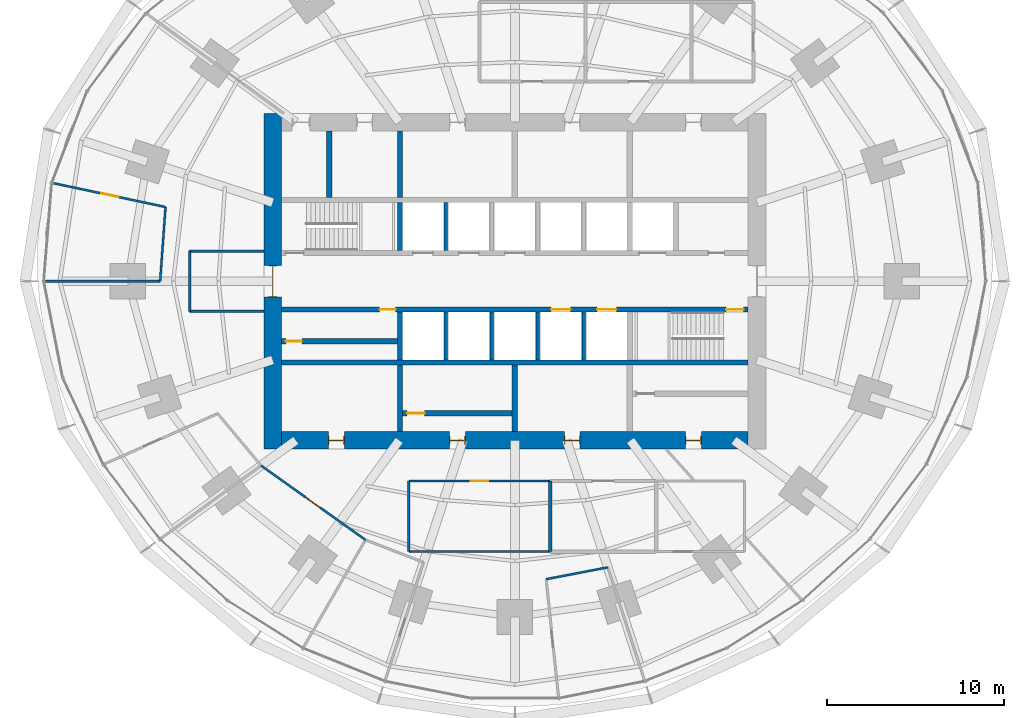
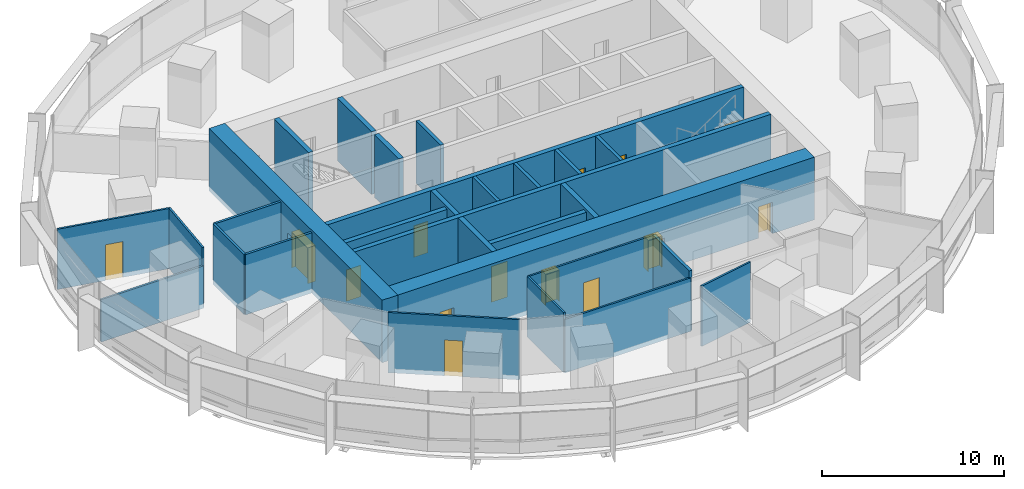
# One storey, part 11 of 15: 29 walls, 14 doors, 14 openings.
"""IFC4 building model written with IfcOpenShell, lengths in metres."""

from ifc_helpers import new_model, si_unit, direction, frame, frame_2d, origin, place, context, subcontext, project, spatial, rectangle, extrude, material, layer, layer_set, type_object, element, fill, save


model = new_model("IFC4")

# Units and contexts
model_context = context("Model", 3, precision=1e-05, world=origin(), true_north=direction((0.0, 1.0)))
body_context = subcontext(model_context, "Body", "Model", "MODEL_VIEW")
ifc_project = project(units=[si_unit("LENGTHUNIT", "METRE"), si_unit("AREAUNIT", "SQUARE_METRE"), si_unit("VOLUMEUNIT", "CUBIC_METRE"), si_unit("PLANEANGLEUNIT", "RADIAN"), si_unit("MASSUNIT", "GRAM", prefix="KILO")], contexts=[model_context])

# Site, building, storey
site_placement = place(None, origin())
site = spatial("IfcSite", under=ifc_project, at=site_placement, CompositionType="ELEMENT")
building_placement = place(site_placement, origin())
building = spatial("IfcBuilding", under=site, at=building_placement, Name="Marramba Exchange Tower", CompositionType="ELEMENT")
storey_placement = place(building_placement, frame((0.0, 0.0, 61.60009765625)))
storey = spatial("IfcBuildingStorey", under=building, at=storey_placement, Name="L14", CompositionType="ELEMENT", Elevation=61.60009765625)

# Walls
ifc_material_1 = material(Name="Concrete N50", Category="concrete")
ifc_layer_1 = layer(ifc_material_1, 0.199951171875)
ifc_layer_set_1 = layer_set([ifc_layer_1], Name="Core shaft wall 200")
wall_type_1 = type_object("IfcWallType", Name="Core shaft wall 200", PredefinedType="SHEAR", material=ifc_layer_set_1)
for number, where, z_axis, x_axis, name in (
    (1, (-3.89990234375, 1.75, 0.0), (0.0, 0.0, 1.0), (0.0, 1.0, 0.0), "Core wall SHN1 L14"),
    (2, (-3.89990234375, -1.75, 0.0), (0.0, 0.0, 1.0), (0.0, -1.0, 0.0), "Core wall SHS1 L14"),
    (3, (-1.300048828125, -1.75, 0.0), (0.0, 0.0, 1.0), (0.0, -1.0, 0.0), "Core wall SHS2 L14"),
    (4, (1.300048828125, -1.75, 0.0), (0.0, 0.0, 1.0), (0.0, -1.0, 0.0), "Core wall SHS3 L14"),
    (5, (3.89990234375, -1.75, 0.0), (0.0, 0.0, 1.0), (0.0, -1.0, 0.0), "Core wall SHS4 L14"),
):
    element("IfcWall", number, at=place(storey_placement, frame(where, z_axis=z_axis, x_axis=x_axis)), inside=storey, type_object=wall_type_1, Name=name, PredefinedType="SHEAR", context=body_context, shape_type="SweptSolid", body=[
        extrude(rectangle(XDim=2.699951171875, YDim=0.199951171875, at=frame_2d((1.35009765625, 0.0))), origin(), (0.0, 0.0, 1.0), 4.199951171875),
    ])

# Wall, openings, doors
ifc_layer_2 = layer(ifc_material_1, 1.0)
ifc_layer_set_2 = layer_set([ifc_layer_2], Name="Core wall 1000")
wall_type_2 = type_object("IfcWallType", Name="Core wall 1000", PredefinedType="SHEAR", material=ifc_layer_set_2)
wall_1_placement = place(storey_placement, frame((-13.199951171875, -9.0, 0.0), z_axis=(0.0, 0.0, 1.0), x_axis=(1.0, 0.0, 0.0)))
wall_1 = element("IfcWall", 6, at=wall_1_placement, inside=storey, type_object=wall_type_2, Name="Core wall S L14", PredefinedType="SHEAR", context=body_context, shape_type="SweptSolid", body=[
    extrude(rectangle(XDim=26.39990234375, YDim=1.0, at=frame_2d((13.199951171875, 0.0))), origin(), (0.0, 0.0, 1.0), 4.199951171875),
])
opening_1_placement = place(wall_1_placement, frame((2.64990234375, 0.0, 0.0)))
opening_1 = element("IfcOpeningElement", 7, at=opening_1_placement, cuts=wall_1, Name="Opening D5", PredefinedType="OPENING", context=body_context, shape_type="SweptSolid", body=[
    extrude(rectangle(XDim=0.89990234375, YDim=2.10009765625, at=frame_2d((0.449951171875, 1.050048828125))), frame((0.0, 0.510009765625, 0.0), z_axis=(0.0, -1.0, 0.0), x_axis=(1.0, 0.0, 0.0)), (0.0, 0.0, 1.0), 1.02001953125),
])
opening_2_placement = place(wall_1_placement, frame((9.5, 0.0, 0.0)))
opening_2 = element("IfcOpeningElement", 8, at=opening_2_placement, cuts=wall_1, Name="Opening D5", PredefinedType="OPENING", context=body_context, shape_type="SweptSolid", body=[
    extrude(rectangle(XDim=0.89990234375, YDim=2.10009765625, at=frame_2d((0.449951171875, 1.050048828125))), frame((0.0, 0.510009765625, 0.0), z_axis=(0.0, -1.0, 0.0), x_axis=(1.0, 0.0, 0.0)), (0.0, 0.0, 1.0), 1.02001953125),
])
opening_3_placement = place(wall_1_placement, frame((16.0, 0.0, 0.0)))
opening_3 = element("IfcOpeningElement", 9, at=opening_3_placement, cuts=wall_1, Name="Opening D5", PredefinedType="OPENING", context=body_context, shape_type="SweptSolid", body=[
    extrude(rectangle(XDim=0.89990234375, YDim=2.10009765625, at=frame_2d((0.449951171875, 1.050048828125))), frame((0.0, 0.510009765625, 0.0), z_axis=(0.0, -1.0, 0.0), x_axis=(1.0, 0.0, 0.0)), (0.0, 0.0, 1.0), 1.02001953125),
])
opening_4_placement = place(wall_1_placement, frame((22.85009765625, 0.0, 0.0)))
opening_4 = element("IfcOpeningElement", 10, at=opening_4_placement, cuts=wall_1, Name="Opening D5", PredefinedType="OPENING", context=body_context, shape_type="SweptSolid", body=[
    extrude(rectangle(XDim=0.89990234375, YDim=2.10009765625, at=frame_2d((0.449951171875, 1.050048828125))), frame((0.0, 0.510009765625, 0.0), z_axis=(0.0, -1.0, 0.0), x_axis=(1.0, 0.0, 0.0)), (0.0, 0.0, 1.0), 1.02001953125),
])
ifc_material_2 = material(Name="Steel-framed door", Category="steel")
door_type_1 = type_object("IfcDoorType", Name="Service door 900x2100", OperationType="SINGLE_SWING_LEFT", PredefinedType="DOOR", material=ifc_material_2)
door_1_placement = place(opening_1_placement, origin())
door_1 = element("IfcDoor", 11, at=door_1_placement, inside=storey, type_object=door_type_1, Name="D5 ahu L14", OperationType="SINGLE_SWING_LEFT", OverallHeight=2.10009765625, OverallWidth=0.89990234375, PredefinedType="DOOR", context=body_context, shape_type="SweptSolid", body=[
    extrude(rectangle(XDim=0.81982421875, YDim=2.06005859375, at=frame_2d((0.449951171875, 1.030029296875))), frame((0.0, 0.02490234375, 0.0), z_axis=(0.0, -1.0, 0.0), x_axis=(1.0, 0.0, 0.0)), (0.0, 0.0, 1.0), 0.050048828125),
    extrude(rectangle(XDim=0.04, YDim=2.10009765625, at=frame_2d((0.02001953125, 1.050048828125))), frame((0.0, 0.25, 0.0), z_axis=(0.0, -1.0, 0.0), x_axis=(1.0, 0.0, 0.0)), (0.0, 0.0, 1.0), 0.5),
    extrude(rectangle(XDim=0.04, YDim=2.10009765625, at=frame_2d((0.8798828125, 1.050048828125))), frame((0.0, 0.25, 0.0), z_axis=(0.0, -1.0, 0.0), x_axis=(1.0, 0.0, 0.0)), (0.0, 0.0, 1.0), 0.5),
    extrude(rectangle(XDim=0.81982421875, YDim=0.04, at=frame_2d((0.449951171875, 2.080078125))), frame((0.0, 0.25, 0.0), z_axis=(0.0, -1.0, 0.0), x_axis=(1.0, 0.0, 0.0)), (0.0, 0.0, 1.0), 0.5),
])
fill(opening_1, door_1)
door_2_placement = place(opening_2_placement, origin())
door_2 = element("IfcDoor", 12, at=door_2_placement, inside=storey, type_object=door_type_1, Name="D5 store L14", OperationType="SINGLE_SWING_RIGHT", OverallHeight=2.10009765625, OverallWidth=0.89990234375, PredefinedType="DOOR", context=body_context, shape_type="SweptSolid", body=[
    extrude(rectangle(XDim=0.81982421875, YDim=2.06005859375, at=frame_2d((0.449951171875, 1.030029296875))), frame((0.0, 0.02490234375, 0.0), z_axis=(0.0, -1.0, 0.0), x_axis=(1.0, 0.0, 0.0)), (0.0, 0.0, 1.0), 0.050048828125),
    extrude(rectangle(XDim=0.04, YDim=2.10009765625, at=frame_2d((0.02001953125, 1.050048828125))), frame((0.0, 0.25, 0.0), z_axis=(0.0, -1.0, 0.0), x_axis=(1.0, 0.0, 0.0)), (0.0, 0.0, 1.0), 0.5),
    extrude(rectangle(XDim=0.04, YDim=2.10009765625, at=frame_2d((0.8798828125, 1.050048828125))), frame((0.0, 0.25, 0.0), z_axis=(0.0, -1.0, 0.0), x_axis=(1.0, 0.0, 0.0)), (0.0, 0.0, 1.0), 0.5),
    extrude(rectangle(XDim=0.81982421875, YDim=0.04, at=frame_2d((0.449951171875, 2.080078125))), frame((0.0, 0.25, 0.0), z_axis=(0.0, -1.0, 0.0), x_axis=(1.0, 0.0, 0.0)), (0.0, 0.0, 1.0), 0.5),
])
fill(opening_2, door_2)
door_3_placement = place(opening_3_placement, origin())
door_3 = element("IfcDoor", 13, at=door_3_placement, inside=storey, type_object=door_type_1, Name="D5 switch L14", OperationType="SINGLE_SWING_RIGHT", OverallHeight=2.10009765625, OverallWidth=0.89990234375, PredefinedType="DOOR", context=body_context, shape_type="SweptSolid", body=[
    extrude(rectangle(XDim=0.81982421875, YDim=2.06005859375, at=frame_2d((0.449951171875, 1.030029296875))), frame((0.0, 0.02490234375, 0.0), z_axis=(0.0, -1.0, 0.0), x_axis=(1.0, 0.0, 0.0)), (0.0, 0.0, 1.0), 0.050048828125),
    extrude(rectangle(XDim=0.04, YDim=2.10009765625, at=frame_2d((0.02001953125, 1.050048828125))), frame((0.0, 0.25, 0.0), z_axis=(0.0, -1.0, 0.0), x_axis=(1.0, 0.0, 0.0)), (0.0, 0.0, 1.0), 0.5),
    extrude(rectangle(XDim=0.04, YDim=2.10009765625, at=frame_2d((0.8798828125, 1.050048828125))), frame((0.0, 0.25, 0.0), z_axis=(0.0, -1.0, 0.0), x_axis=(1.0, 0.0, 0.0)), (0.0, 0.0, 1.0), 0.5),
    extrude(rectangle(XDim=0.81982421875, YDim=0.04, at=frame_2d((0.449951171875, 2.080078125))), frame((0.0, 0.25, 0.0), z_axis=(0.0, -1.0, 0.0), x_axis=(1.0, 0.0, 0.0)), (0.0, 0.0, 1.0), 0.5),
])
fill(opening_3, door_3)
door_4_placement = place(opening_4_placement, origin())
door_4 = element("IfcDoor", 14, at=door_4_placement, inside=storey, type_object=door_type_1, Name="D5 cstore L14", OperationType="SINGLE_SWING_RIGHT", OverallHeight=2.10009765625, OverallWidth=0.89990234375, PredefinedType="DOOR", context=body_context, shape_type="SweptSolid", body=[
    extrude(rectangle(XDim=0.81982421875, YDim=2.06005859375, at=frame_2d((0.449951171875, 1.030029296875))), frame((0.0, 0.02490234375, 0.0), z_axis=(0.0, -1.0, 0.0), x_axis=(1.0, 0.0, 0.0)), (0.0, 0.0, 1.0), 0.050048828125),
    extrude(rectangle(XDim=0.04, YDim=2.10009765625, at=frame_2d((0.02001953125, 1.050048828125))), frame((0.0, 0.25, 0.0), z_axis=(0.0, -1.0, 0.0), x_axis=(1.0, 0.0, 0.0)), (0.0, 0.0, 1.0), 0.5),
    extrude(rectangle(XDim=0.04, YDim=2.10009765625, at=frame_2d((0.8798828125, 1.050048828125))), frame((0.0, 0.25, 0.0), z_axis=(0.0, -1.0, 0.0), x_axis=(1.0, 0.0, 0.0)), (0.0, 0.0, 1.0), 0.5),
    extrude(rectangle(XDim=0.81982421875, YDim=0.04, at=frame_2d((0.449951171875, 2.080078125))), frame((0.0, 0.25, 0.0), z_axis=(0.0, -1.0, 0.0), x_axis=(1.0, 0.0, 0.0)), (0.0, 0.0, 1.0), 0.5),
])
fill(opening_4, door_4)

# Wall, opening, door
wall_2_placement = place(storey_placement, frame((-13.699951171875, 9.5, 0.0), z_axis=(0.0, 0.0, 1.0), x_axis=(0.0, -1.0, 0.0)))
wall_2 = element("IfcWall", 15, at=wall_2_placement, inside=storey, type_object=wall_type_2, Name="Core wall W L14", PredefinedType="SHEAR", context=body_context, shape_type="SweptSolid", body=[
    extrude(rectangle(XDim=19.0, YDim=1.0, at=frame_2d((9.5, 0.0))), origin(), (0.0, 0.0, 1.0), 4.199951171875),
])
opening_5_placement = place(wall_2_placement, frame((8.60009765625, 0.0, 0.0)))
opening_5 = element("IfcOpeningElement", 16, at=opening_5_placement, cuts=wall_2, Name="Opening D1", PredefinedType="OPENING", context=body_context, shape_type="SweptSolid", body=[
    extrude(rectangle(XDim=1.800048828125, YDim=2.39990234375, at=frame_2d((0.89990234375, 1.199951171875))), frame((0.0, 0.510009765625, 0.0), z_axis=(0.0, -1.0, 0.0), x_axis=(1.0, 0.0, 0.0)), (0.0, 0.0, 1.0), 1.02001953125),
])
door_type_2 = type_object("IfcDoorType", Name="Lobby exit door 1800x2400", OperationType="DOUBLE_DOOR_SINGLE_SWING", PredefinedType="DOOR", material=ifc_material_2)
door_5_placement = place(opening_5_placement, frame((1.800048828125, 0.0, 0.0), z_axis=(0.0, 0.0, 1.0), x_axis=(-1.0, 0.0, 0.0)))
door_5 = element("IfcDoor", 17, at=door_5_placement, inside=storey, type_object=door_type_2, Name="D1 lobby exit west L14", OperationType="DOUBLE_DOOR_SINGLE_SWING", OverallHeight=2.39990234375, OverallWidth=1.800048828125, PredefinedType="DOOR", context=body_context, shape_type="SweptSolid", body=[
    extrude(rectangle(XDim=1.719970703125, YDim=2.35986328125, at=frame_2d((0.900146484375, 1.179931640625))), frame((0.0, 0.025146484375, 0.0), z_axis=(0.0, -1.0, 0.0), x_axis=(1.0, 0.0, 0.0)), (0.0, 0.0, 1.0), 0.050048828125),
    extrude(rectangle(XDim=0.04, YDim=2.39990234375, at=frame_2d((1.780029296875, 1.199951171875))), frame((0.0, 0.25, 0.0), z_axis=(0.0, -1.0, 0.0), x_axis=(1.0, 0.0, 0.0)), (0.0, 0.0, 1.0), 0.5),
    extrude(rectangle(XDim=0.04, YDim=2.39990234375, at=frame_2d((0.02001953125, 1.199951171875))), frame((0.0, 0.25, 0.0), z_axis=(0.0, -1.0, 0.0), x_axis=(1.0, 0.0, 0.0)), (0.0, 0.0, 1.0), 0.5),
    extrude(rectangle(XDim=1.719970703125, YDim=0.04, at=frame_2d((0.900146484375, 2.3798828125))), frame((0.0, 0.25, 0.0), z_axis=(0.0, -1.0, 0.0), x_axis=(1.0, 0.0, 0.0)), (0.0, 0.0, 1.0), 0.5),
])
fill(opening_5, door_5)

# Wall, openings, doors
ifc_layer_3 = layer(ifc_material_1, 0.300048828125)
ifc_layer_set_3 = layer_set([ifc_layer_3], Name="Core wall 300")
wall_type_3 = type_object("IfcWallType", Name="Core wall 300", PredefinedType="SHEAR", material=ifc_layer_set_3)
wall_3_placement = place(storey_placement, frame((-13.199951171875, -1.60009765625, 0.0), z_axis=(0.0, 0.0, 1.0), x_axis=(1.0, 0.0, 0.0)))
wall_3 = element("IfcWall", 18, at=wall_3_placement, inside=storey, type_object=wall_type_3, Name="Core wall LS L14", PredefinedType="SHEAR", context=body_context, shape_type="SweptSolid", body=[
    extrude(rectangle(XDim=26.39990234375, YDim=0.300048828125, at=frame_2d((13.199951171875, 0.0))), origin(), (0.0, 0.0, 1.0), 4.199951171875),
])
opening_6_placement = place(wall_3_placement, frame((25.14990234375, 0.0, 0.0)))
opening_6 = element("IfcOpeningElement", 19, at=opening_6_placement, cuts=wall_3, Name="Opening D2", PredefinedType="OPENING", context=body_context, shape_type="SweptSolid", body=[
    extrude(rectangle(XDim=1.0, YDim=2.10009765625, at=frame_2d((0.5, 1.050048828125))), frame((0.0, 0.159912109375, 0.0), z_axis=(0.0, -1.0, 0.0), x_axis=(1.0, 0.0, 0.0)), (0.0, 0.0, 1.0), 0.320068359375),
])
opening_7_placement = place(wall_3_placement, frame((15.25, 0.0, 0.0)))
opening_7 = element("IfcOpeningElement", 20, at=opening_7_placement, cuts=wall_3, Name="Opening LD2", PredefinedType="OPENING", context=body_context, shape_type="SweptSolid", body=[
    extrude(rectangle(XDim=1.10009765625, YDim=2.300048828125, at=frame_2d((0.550048828125, 1.14990234375))), frame((0.0, 0.159912109375, 0.0), z_axis=(0.0, -1.0, 0.0), x_axis=(1.0, 0.0, 0.0)), (0.0, 0.0, 1.0), 0.320068359375),
])
opening_8_placement = place(wall_3_placement, frame((17.85009765625, 0.0, 0.0)))
opening_8 = element("IfcOpeningElement", 21, at=opening_8_placement, cuts=wall_3, Name="Opening LD2", PredefinedType="OPENING", context=body_context, shape_type="SweptSolid", body=[
    extrude(rectangle(XDim=1.10009765625, YDim=2.300048828125, at=frame_2d((0.550048828125, 1.14990234375))), frame((0.0, 0.159912109375, 0.0), z_axis=(0.0, -1.0, 0.0), x_axis=(1.0, 0.0, 0.0)), (0.0, 0.0, 1.0), 0.320068359375),
])
opening_9_placement = place(wall_3_placement, frame((5.550048828125, 0.0, 0.0)))
opening_9 = element("IfcOpeningElement", 22, at=opening_9_placement, cuts=wall_3, Name="Opening D5", PredefinedType="OPENING", context=body_context, shape_type="SweptSolid", body=[
    extrude(rectangle(XDim=0.89990234375, YDim=2.10009765625, at=frame_2d((0.449951171875, 1.050048828125))), frame((0.0, 0.159912109375, 0.0), z_axis=(0.0, -1.0, 0.0), x_axis=(1.0, 0.0, 0.0)), (0.0, 0.0, 1.0), 0.320068359375),
])
door_type_3 = type_object("IfcDoorType", Name="Emergency lift landing door 1100x2300", OperationType="SLIDING_TO_LEFT", PredefinedType="DOOR", material=ifc_material_2)
door_6_placement = place(opening_7_placement, frame((1.10009765625, 0.0, 0.0), z_axis=(0.0, 0.0, 1.0), x_axis=(-1.0, 0.0, 0.0)))
door_6 = element("IfcDoor", 23, at=door_6_placement, inside=storey, type_object=door_type_3, Name="FL1 landing door L14", OperationType="SLIDING_TO_RIGHT", OverallHeight=2.300048828125, OverallWidth=1.10009765625, PredefinedType="DOOR", context=body_context, shape_type="SweptSolid", body=[
    extrude(rectangle(XDim=1.10009765625, YDim=2.300048828125, at=frame_2d((0.550048828125, 1.14990234375))), frame((0.0, 0.025146484375, 0.0), z_axis=(0.0, -1.0, 0.0), x_axis=(1.0, 0.0, 0.0)), (0.0, 0.0, 1.0), 0.050048828125),
])
fill(opening_7, door_6)
door_7_placement = place(opening_8_placement, frame((1.10009765625, 0.0, 0.0), z_axis=(0.0, 0.0, 1.0), x_axis=(-1.0, 0.0, 0.0)))
door_7 = element("IfcDoor", 24, at=door_7_placement, inside=storey, type_object=door_type_3, Name="FL2 landing door L14", OperationType="SLIDING_TO_LEFT", OverallHeight=2.300048828125, OverallWidth=1.10009765625, PredefinedType="DOOR", context=body_context, shape_type="SweptSolid", body=[
    extrude(rectangle(XDim=1.10009765625, YDim=2.300048828125, at=frame_2d((0.550048828125, 1.14990234375))), frame((0.0, 0.025146484375, 0.0), z_axis=(0.0, -1.0, 0.0), x_axis=(1.0, 0.0, 0.0)), (0.0, 0.0, 1.0), 0.050048828125),
])
fill(opening_8, door_7)
door_8_placement = place(opening_9_placement, frame((0.89990234375, 0.0, 0.0), z_axis=(0.0, 0.0, 1.0), x_axis=(-1.0, 0.0, 0.0)))
door_8 = element("IfcDoor", 25, at=door_8_placement, inside=storey, type_object=door_type_1, Name="D5 electrical riser L14", OperationType="SINGLE_SWING_LEFT", OverallHeight=2.10009765625, OverallWidth=0.89990234375, PredefinedType="DOOR", context=body_context, shape_type="SweptSolid", body=[
    extrude(rectangle(XDim=0.89990234375, YDim=2.10009765625, at=frame_2d((0.449951171875, 1.050048828125))), frame((0.0, 0.025146484375, 0.0), z_axis=(0.0, -1.0, 0.0), x_axis=(1.0, 0.0, 0.0)), (0.0, 0.0, 1.0), 0.050048828125),
])
fill(opening_9, door_8)
door_type_4 = type_object("IfcDoorType", Name="Stair door 1000x2100", OperationType="SINGLE_SWING_LEFT", PredefinedType="DOOR", material=ifc_material_2)
door_9_placement = place(opening_6_placement, frame((1.0, 0.0, 0.0), z_axis=(0.0, 0.0, 1.0), x_axis=(-1.0, 0.0, 0.0)))
door_9 = element("IfcDoor", 26, at=door_9_placement, inside=storey, type_object=door_type_4, Name="D2 stair ST2 L14", OperationType="SINGLE_SWING_LEFT", OverallHeight=2.10009765625, OverallWidth=1.0, PredefinedType="DOOR", context=body_context, shape_type="SweptSolid", body=[
    extrude(rectangle(XDim=1.0, YDim=2.10009765625, at=frame_2d((0.5, 1.050048828125))), frame((0.0, 0.025146484375, 0.0), z_axis=(0.0, -1.0, 0.0), x_axis=(1.0, 0.0, 0.0)), (0.0, 0.0, 1.0), 0.050048828125),
])
fill(opening_6, door_9)

# Walls
wall_4_placement = place(storey_placement, frame((-13.199951171875, -4.60009765625, 0.0), z_axis=(0.0, 0.0, 1.0), x_axis=(1.0, 0.0, 0.0)))
element("IfcWall", 27, at=wall_4_placement, inside=storey, type_object=wall_type_3, Name="Core wall BS L14", PredefinedType="SHEAR", context=body_context, shape_type="SweptSolid", body=[
    extrude(rectangle(XDim=26.39990234375, YDim=0.300048828125, at=frame_2d((13.199951171875, 0.0))), origin(), (0.0, 0.0, 1.0), 4.199951171875),
])
wall_5_placement = place(storey_placement, frame((-6.5, 1.75, 0.0), z_axis=(0.0, 0.0, 1.0), x_axis=(0.0, 1.0, 0.0)))
element("IfcWall", 28, at=wall_5_placement, inside=storey, type_object=wall_type_3, Name="Core wall X0Na L14", PredefinedType="SHEAR", context=body_context, shape_type="SweptSolid", body=[
    extrude(rectangle(XDim=2.699951171875, YDim=0.300048828125, at=frame_2d((1.35009765625, 0.0))), origin(), (0.0, 0.0, 1.0), 4.199951171875),
])
wall_6_placement = place(storey_placement, frame((-6.5, 4.75, 0.0), z_axis=(0.0, 0.0, 1.0), x_axis=(0.0, 1.0, 0.0)))
element("IfcWall", 29, at=wall_6_placement, inside=storey, type_object=wall_type_3, Name="Core wall X0Nb L14", PredefinedType="SHEAR", context=body_context, shape_type="SweptSolid", body=[
    extrude(rectangle(XDim=3.75, YDim=0.300048828125, at=frame_2d((1.875, 0.0))), origin(), (0.0, 0.0, 1.0), 4.199951171875),
])
wall_7_placement = place(storey_placement, frame((-6.5, -1.75, 0.0), z_axis=(0.0, 0.0, 1.0), x_axis=(0.0, -1.0, 0.0)))
element("IfcWall", 30, at=wall_7_placement, inside=storey, type_object=wall_type_3, Name="Core wall X0Sa L14", PredefinedType="SHEAR", context=body_context, shape_type="SweptSolid", body=[
    extrude(rectangle(XDim=2.699951171875, YDim=0.300048828125, at=frame_2d((1.35009765625, 0.0))), origin(), (0.0, 0.0, 1.0), 4.199951171875),
])
for number, where, z_axis, x_axis, name in (
    (31, (-6.5, -4.75, 0.0), (0.0, 0.0, 1.0), (0.0, -1.0, 0.0), "Core wall X0Sb L14"),
    (32, (0.0, -4.75, 0.0), (0.0, 0.0, 1.0), (0.0, -1.0, 0.0), "Core wall MS L14"),
    (33, (-10.5, 4.75, 0.0), (0.0, 0.0, 1.0), (0.0, 1.0, 0.0), "Core wall WD L14"),
):
    element("IfcWall", number, at=place(storey_placement, frame(where, z_axis=z_axis, x_axis=x_axis)), inside=storey, type_object=wall_type_3, Name=name, PredefinedType="SHEAR", context=body_context, shape_type="SweptSolid", body=[
        extrude(rectangle(XDim=3.75, YDim=0.300048828125, at=frame_2d((1.875, 0.0))), origin(), (0.0, 0.0, 1.0), 4.199951171875),
    ])
ifc_material_3 = material(Name="Core-filled concrete blockwork, rendered", Category="masonry")
ifc_layer_4 = layer(ifc_material_3, 0.18994140625)
ifc_layer_set_4 = layer_set([ifc_layer_4], Name="Equipment room wall 190")
wall_type_4 = type_object("IfcWallType", Name="Equipment room wall 190", PredefinedType="SOLIDWALL", material=ifc_layer_set_4)
wall_8_placement = place(storey_placement, frame((2.0, -11.300048828125, 0.0), z_axis=(0.0, 0.0, 1.0), x_axis=(0.0, -1.0, 0.0)))
element("IfcWall", 34, at=wall_8_placement, inside=storey, type_object=wall_type_4, Name="Equipment room wall L14 13", PredefinedType="SOLIDWALL", context=body_context, shape_type="SweptSolid", body=[
    extrude(rectangle(XDim=4.0, YDim=0.18994140625, at=frame_2d((2.0, 0.0))), origin(), (0.0, 0.0, 1.0), 4.039794921875),
])

# Wall, opening, door
ifc_material_4 = material(Name="Plasterboard on steel studs", Category="steel")
ifc_layer_5 = layer(ifc_material_4, 0.1201171875)
ifc_layer_set_5 = layer_set([ifc_layer_5], Name="Partition 120")
wall_type_5 = type_object("IfcWallType", Name="Partition 120", PredefinedType="PARTITIONING", material=ifc_layer_set_5)
wall_9_placement = place(storey_placement, frame((-8.44921875, -14.634521484375, 0.0), z_axis=(0.0, 0.0, 1.0), x_axis=(-0.814853539304, 0.57966689528, 0.0)))
wall_9 = element("IfcWall", 35, at=wall_9_placement, inside=storey, type_object=wall_type_5, Name="Partition L14 05", PredefinedType="PARTITIONING", context=body_context, shape_type="SweptSolid", body=[
    extrude(rectangle(XDim=7.2509765625, YDim=0.1201171875, at=frame_2d((3.62548828125, 0.0))), origin(), (0.0, 0.0, 1.0), 4.039794921875),
])
opening_10_placement = place(wall_9_placement, frame((3.14990234375, 0.0, 0.0)))
opening_10 = element("IfcOpeningElement", 36, at=opening_10_placement, cuts=wall_9, Name="Opening D9", PredefinedType="OPENING", context=body_context, shape_type="SweptSolid", body=[
    extrude(rectangle(XDim=1.0, YDim=2.39990234375, at=frame_2d((0.5, 1.199951171875))), frame((0.0, 0.070068359375, 0.0), z_axis=(0.0, -1.0, 0.0), x_axis=(1.0, 0.0, 0.0)), (0.0, 0.0, 1.0), 0.14013671875),
])
ifc_material_5 = material(Name="Timber door", Category="wood")
door_type_5 = type_object("IfcDoorType", Name="Room door 1000x2400", OperationType="SINGLE_SWING_LEFT", PredefinedType="DOOR", material=ifc_material_5)
door_10_placement = place(opening_10_placement, origin())
door_10 = element("IfcDoor", 37, at=door_10_placement, inside=storey, type_object=door_type_5, Name="D9 Head of Desk Office 2 L14", OperationType="SINGLE_SWING_RIGHT", OverallHeight=2.39990234375, OverallWidth=1.0, PredefinedType="DOOR", context=body_context, shape_type="SweptSolid", body=[
    extrude(rectangle(XDim=1.0, YDim=2.39990234375, at=frame_2d((0.5, 1.199951171875))), frame((0.0, 0.02490234375, 0.0), z_axis=(0.0, -1.0, 0.0), x_axis=(1.0, 0.0, 0.0)), (0.0, 0.0, 1.0), 0.050048828125),
])
fill(opening_10, door_10)

# Wall
wall_10_placement = place(storey_placement, frame((-6.0, -11.300048828125, 0.0), z_axis=(0.0, 0.0, 1.0), x_axis=(0.0, -1.0, 0.0)))
element("IfcWall", 38, at=wall_10_placement, inside=storey, type_object=wall_type_5, Name="Partition L14 07", PredefinedType="PARTITIONING", context=body_context, shape_type="SweptSolid", body=[
    extrude(rectangle(XDim=4.0, YDim=0.1201171875, at=frame_2d((2.0, 0.0))), origin(), (0.0, 0.0, 1.0), 4.039794921875),
])

# Wall, opening, door
wall_11_placement = place(storey_placement, frame((2.0, -11.300048828125, 0.0), z_axis=(0.0, 0.0, 1.0), x_axis=(-1.0, 0.0, 0.0)))
wall_11 = element("IfcWall", 39, at=wall_11_placement, inside=storey, type_object=wall_type_5, Name="Partition L14 10", PredefinedType="PARTITIONING", context=body_context, shape_type="SweptSolid", body=[
    extrude(rectangle(XDim=8.0, YDim=0.1201171875, at=frame_2d((4.0, 0.0))), origin(), (0.0, 0.0, 1.0), 4.039794921875),
])
opening_11_placement = place(wall_11_placement, frame((3.5, 0.0, 0.0)))
opening_11 = element("IfcOpeningElement", 40, at=opening_11_placement, cuts=wall_11, Name="Opening D9", PredefinedType="OPENING", context=body_context, shape_type="SweptSolid", body=[
    extrude(rectangle(XDim=1.0, YDim=2.39990234375, at=frame_2d((0.5, 1.199951171875))), frame((0.0, 0.070068359375, 0.0), z_axis=(0.0, -1.0, 0.0), x_axis=(1.0, 0.0, 0.0)), (0.0, 0.0, 1.0), 0.14013671875),
])
door_11_placement = place(opening_11_placement, origin())
door_11 = element("IfcDoor", 41, at=door_11_placement, inside=storey, type_object=door_type_5, Name="D9 Pantry L14", OperationType="SINGLE_SWING_RIGHT", OverallHeight=2.39990234375, OverallWidth=1.0, PredefinedType="DOOR", context=body_context, shape_type="SweptSolid", body=[
    extrude(rectangle(XDim=1.0, YDim=2.39990234375, at=frame_2d((0.5, 1.199951171875))), frame((0.0, 0.02490234375, 0.0), z_axis=(0.0, -1.0, 0.0), x_axis=(1.0, 0.0, 0.0)), (0.0, 0.0, 1.0), 0.050048828125),
])
fill(opening_11, door_11)

# Walls
wall_12_placement = place(storey_placement, frame((-6.0, -15.300048828125, 0.0), z_axis=(0.0, 0.0, 1.0), x_axis=(1.0, 0.0, 0.0)))
element("IfcWall", 42, at=wall_12_placement, inside=storey, type_object=wall_type_5, Name="Partition L14 11", PredefinedType="PARTITIONING", context=body_context, shape_type="SweptSolid", body=[
    extrude(rectangle(XDim=8.0, YDim=0.1201171875, at=frame_2d((4.0, 0.0))), origin(), (0.0, 0.0, 1.0), 3.5859375),
])
wall_13_placement = place(storey_placement, frame((5.259765625, -16.18798828125, 0.0), z_axis=(0.0, 0.0, 1.0), x_axis=(-0.982089213151, -0.188416499842, 0.0)))
element("IfcWall", 43, at=wall_13_placement, inside=storey, type_object=wall_type_5, Name="Partition L14 14", PredefinedType="PARTITIONING", context=body_context, shape_type="SweptSolid", body=[
    extrude(rectangle(XDim=3.5517578125, YDim=0.1201171875, at=frame_2d((1.77587890625, 0.0))), origin(), (0.0, 0.0, 1.0), 4.039794921875),
])

# Wall, opening, door
wall_14_placement = place(storey_placement, frame((-19.765380859375, 4.201171875, 0.0), z_axis=(0.0, 0.0, 1.0), x_axis=(-0.978143001923, 0.207933325345, 0.0)))
wall_14 = element("IfcWall", 44, at=wall_14_placement, inside=storey, type_object=wall_type_5, Name="Partition L14 31", PredefinedType="PARTITIONING", context=body_context, shape_type="SweptSolid", body=[
    extrude(rectangle(XDim=6.5, YDim=0.1201171875, at=frame_2d((3.25, 0.0))), origin(), (0.0, 0.0, 1.0), 4.039794921875),
])
opening_12_placement = place(wall_14_placement, frame((2.72509765625, 0.0, 0.0)))
opening_12 = element("IfcOpeningElement", 45, at=opening_12_placement, cuts=wall_14, Name="Opening D9", PredefinedType="OPENING", context=body_context, shape_type="SweptSolid", body=[
    extrude(rectangle(XDim=1.0, YDim=2.39990234375, at=frame_2d((0.5, 1.199951171875))), frame((0.0, 0.070068359375, 0.0), z_axis=(0.0, -1.0, 0.0), x_axis=(1.0, 0.0, 0.0)), (0.0, 0.0, 1.0), 0.14013671875),
])
door_12_placement = place(opening_12_placement, origin())
door_12 = element("IfcDoor", 46, at=door_12_placement, inside=storey, type_object=door_type_5, Name="D9 Compliance Office L14", OperationType="SINGLE_SWING_RIGHT", OverallHeight=2.39990234375, OverallWidth=1.0, PredefinedType="DOOR", context=body_context, shape_type="SweptSolid", body=[
    extrude(rectangle(XDim=1.0, YDim=2.39990234375, at=frame_2d((0.5, 1.199951171875))), frame((0.0, 0.02490234375, 0.0), z_axis=(0.0, -1.0, 0.0), x_axis=(1.0, 0.0, 0.0)), (0.0, 0.0, 1.0), 0.050048828125),
])
fill(opening_12, door_12)

# Walls
wall_15_placement = place(storey_placement, frame((-20.070068359375, 0.0, 0.0), z_axis=(0.0, 0.0, 1.0), x_axis=(0.072334424812, 0.997380434432, 0.0)))
element("IfcWall", 47, at=wall_15_placement, inside=storey, type_object=wall_type_5, Name="Partition L14 32", PredefinedType="PARTITIONING", context=body_context, shape_type="SweptSolid", body=[
    extrude(rectangle(XDim=4.212158203125, YDim=0.1201171875, at=frame_2d((2.10595703125, 0.0))), origin(), (0.0, 0.0, 1.0), 4.039794921875),
])
wall_16_placement = place(storey_placement, frame((-26.570068359375, 0.0, 0.0), z_axis=(0.0, 0.0, 1.0), x_axis=(1.0, 0.0, 0.0)))
element("IfcWall", 48, at=wall_16_placement, inside=storey, type_object=wall_type_5, Name="Partition L14 34", PredefinedType="PARTITIONING", context=body_context, shape_type="SweptSolid", body=[
    extrude(rectangle(XDim=6.5, YDim=0.1201171875, at=frame_2d((3.25, 0.0))), origin(), (0.0, 0.0, 1.0), 2.83984375),
])

# Wall, opening, door
ifc_material_6 = material(Name="Core-filled concrete blockwork", Category="masonry")
ifc_layer_6 = layer(ifc_material_6, 0.300048828125)
ifc_layer_set_6 = layer_set([ifc_layer_6], Name="Riser enclosure wall 300")
wall_type_6 = type_object("IfcWallType", Name="Riser enclosure wall 300", PredefinedType="SOLIDWALL", material=ifc_layer_set_6)
wall_17_placement = place(storey_placement, frame((-13.199951171875, -3.39990234375, 0.0), z_axis=(0.0, 0.0, 1.0), x_axis=(1.0, 0.0, 0.0)))
wall_17 = element("IfcWall", 49, at=wall_17_placement, inside=storey, type_object=wall_type_6, Name="Riser enclosure wall L14", PredefinedType="SOLIDWALL", context=body_context, shape_type="SweptSolid", body=[
    extrude(rectangle(XDim=6.550048828125, YDim=0.300048828125, at=frame_2d((3.27490234375, 0.0))), origin(), (0.0, 0.0, 1.0), 4.039794921875),
])
opening_13_placement = place(wall_17_placement, frame((0.25, 0.0, 0.0)))
opening_13 = element("IfcOpeningElement", 50, at=opening_13_placement, cuts=wall_17, Name="Opening D5", PredefinedType="OPENING", context=body_context, shape_type="SweptSolid", body=[
    extrude(rectangle(XDim=0.89990234375, YDim=2.10009765625, at=frame_2d((0.449951171875, 1.050048828125))), frame((0.0, 0.159912109375, 0.0), z_axis=(0.0, -1.0, 0.0), x_axis=(1.0, 0.0, 0.0)), (0.0, 0.0, 1.0), 0.320068359375),
])
door_13_placement = place(opening_13_placement, frame((0.89990234375, 0.0, 0.0), z_axis=(0.0, 0.0, 1.0), x_axis=(-1.0, 0.0, 0.0)))
door_13 = element("IfcDoor", 51, at=door_13_placement, inside=storey, type_object=door_type_1, Name="D5 electrical riser back L14", OperationType="SINGLE_SWING_RIGHT", OverallHeight=2.10009765625, OverallWidth=0.89990234375, PredefinedType="DOOR", context=body_context, shape_type="SweptSolid", body=[
    extrude(rectangle(XDim=0.89990234375, YDim=2.10009765625, at=frame_2d((0.449951171875, 1.050048828125))), frame((0.0, 0.025146484375, 0.0), z_axis=(0.0, -1.0, 0.0), x_axis=(1.0, 0.0, 0.0)), (0.0, 0.0, 1.0), 0.050048828125),
])
fill(opening_13, door_13)

ifc_material_7 = material(Name="Plasterboard on steel studs, insulated, unrated", Category="steel")
ifc_layer_7 = layer(ifc_material_7, 0.300048828125)
ifc_layer_set_7 = layer_set([ifc_layer_7], Name="Store partition 300")
wall_type_7 = type_object("IfcWallType", Name="Store partition 300", PredefinedType="PARTITIONING", material=ifc_layer_set_7)
wall_18_placement = place(storey_placement, frame((-6.35009765625, -7.4599609375, 0.0), z_axis=(0.0, 0.0, 1.0), x_axis=(1.0, 0.0, 0.0)))
wall_18 = element("IfcWall", 52, at=wall_18_placement, inside=storey, type_object=wall_type_7, Name="Store partition L14 store", PredefinedType="PARTITIONING", context=body_context, shape_type="SweptSolid", body=[
    extrude(rectangle(XDim=6.2001953125, YDim=0.300048828125, at=frame_2d((3.10009765625, 0.0))), origin(), (0.0, 0.0, 1.0), 4.039794921875),
])
opening_14_placement = place(wall_18_placement, frame((0.25, 0.0, 0.0)))
opening_14 = element("IfcOpeningElement", 53, at=opening_14_placement, cuts=wall_18, Name="Opening D9", PredefinedType="OPENING", context=body_context, shape_type="SweptSolid", body=[
    extrude(rectangle(XDim=1.0, YDim=2.39990234375, at=frame_2d((0.5, 1.199951171875))), frame((0.0, 0.159912109375, 0.0), z_axis=(0.0, -1.0, 0.0), x_axis=(1.0, 0.0, 0.0)), (0.0, 0.0, 1.0), 0.320068359375),
])
door_14_placement = place(opening_14_placement, frame((1.0, 0.0, 0.0), z_axis=(0.0, 0.0, 1.0), x_axis=(-1.0, 0.0, 0.0)))
door_14 = element("IfcDoor", 54, at=door_14_placement, inside=storey, type_object=door_type_5, Name="D9 stationery store L14", OperationType="SINGLE_SWING_RIGHT", OverallHeight=2.39990234375, OverallWidth=1.0, PredefinedType="DOOR", context=body_context, shape_type="SweptSolid", body=[
    extrude(rectangle(XDim=1.0, YDim=2.39990234375, at=frame_2d((0.5, 1.199951171875))), frame((0.0, 0.025146484375, 0.0), z_axis=(0.0, -1.0, 0.0), x_axis=(1.0, 0.0, 0.0)), (0.0, 0.0, 1.0), 0.050048828125),
])
fill(opening_14, door_14)

# Walls
ifc_material_8 = material(Name="Fire-rated plasterboard on steel studs, acoustic insulation", Category="steel")
ifc_layer_8 = layer(ifc_material_8, 0.14990234375)
ifc_layer_set_8 = layer_set([ifc_layer_8], Name="Tenancy wall 150")
wall_type_8 = type_object("IfcWallType", Name="Tenancy wall 150", PredefinedType="PARTITIONING", material=ifc_layer_set_8)
for number, where, z_axis, x_axis, name in (
    (55, (-18.39990234375, -1.699951171875, 0.0), (0.0, 0.0, 1.0), (1.0, 0.0, 0.0), "Tenancy wall L14 01"),
    (56, (-14.199951171875, 1.699951171875, 0.0), (0.0, 0.0, 1.0), (-1.0, 0.0, 0.0), "Tenancy wall L14 33"),
):
    element("IfcWall", number, at=place(storey_placement, frame(where, z_axis=z_axis, x_axis=x_axis)), inside=storey, type_object=wall_type_8, Name=name, PredefinedType="PARTITIONING", context=body_context, shape_type="SweptSolid", body=[
        extrude(rectangle(XDim=4.199951171875, YDim=0.14990234375, at=frame_2d((2.10009765625, 0.0))), origin(), (0.0, 0.0, 1.0), 4.039794921875),
    ])
wall_19_placement = place(storey_placement, frame((-18.39990234375, 1.699951171875, 0.0), z_axis=(0.0, 0.0, 1.0), x_axis=(0.0, -1.0, 0.0)))
element("IfcWall", 57, at=wall_19_placement, inside=storey, type_object=wall_type_8, Name="Tenancy wall L14 35", PredefinedType="PARTITIONING", context=body_context, shape_type="SweptSolid", body=[
    extrude(rectangle(XDim=3.39990234375, YDim=0.14990234375, at=frame_2d((1.699951171875, 0.0))), origin(), (0.0, 0.0, 1.0), 4.039794921875),
])

save(model, "model.ifc")
